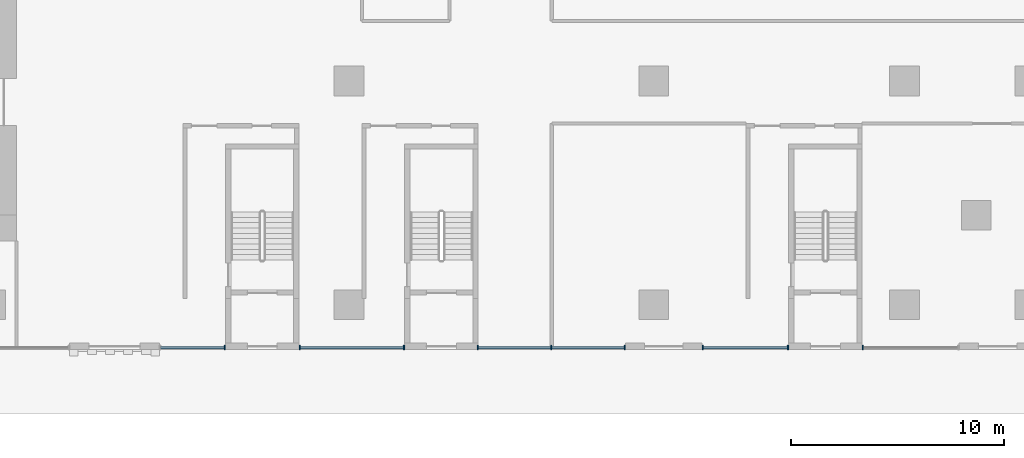
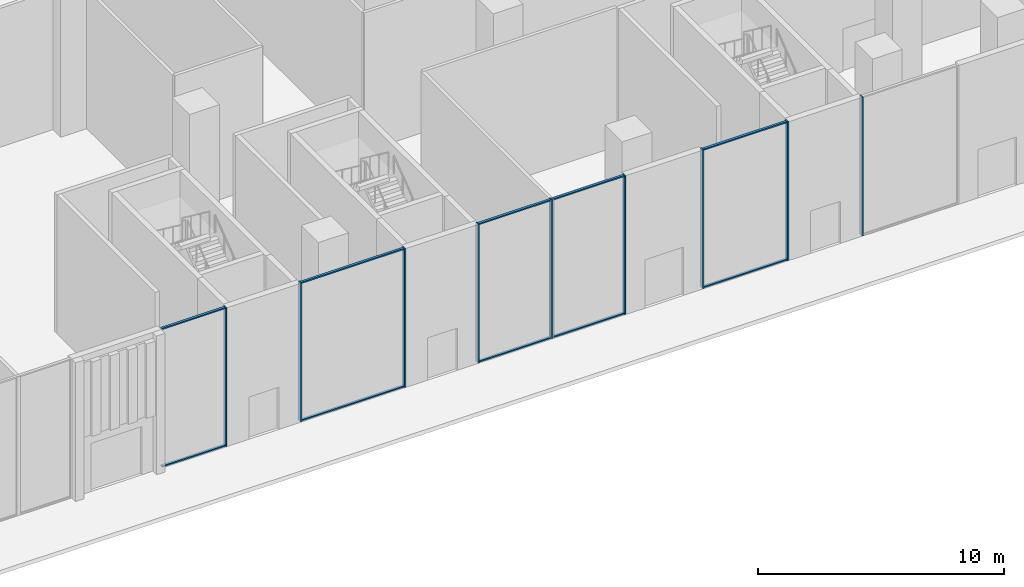
# One storey, part 4 of 26: 19 members, 5 elements without a shape of their own.
"""IFC4 building model written with IfcOpenShell, lengths in metres."""

import ifcopenshell
import ifcopenshell.guid

model = None  # the IFC model being written
_history = None  # IfcOwnerHistory: only IFC2X3 demands one
_inside = {}  # id of a spatial element -> (the spatial element, [elements in it])
_under = {}  # id of a project, library or spatial element -> (it, [spatial elements below it])
_declared = {}  # id of a project -> (the project, [libraries it declares])
_typed = {}  # id of a type object -> (the type object, [elements of that type])
_made_of = {}  # id of a material, layer set ... -> (it, [elements and type objects made of it])


def new_model(schema):
    """Start an empty IFC model of exactly this schema.

    Asked for "IFC4X3", IfcOpenShell would pick the latest addendum, in which some entities
    have other attributes; the version numbers below select the first issue.
    IFC2X3 requires an IfcOwnerHistory on every rooted entity: one is made here for all.
    """
    global model, _history
    if schema == "IFC4X3":
        model = ifcopenshell.file(schema_version=(4, 3, 0, 0))
    else:
        model = ifcopenshell.file(schema=schema)
    _inside.clear()
    _under.clear()
    _declared.clear()
    _typed.clear()
    _made_of.clear()
    _history = None
    if model.schema == "IFC2X3":
        org = make("IfcOrganization", Name="unknown")
        user = make(
            "IfcPersonAndOrganization",
            ThePerson=make("IfcPerson", FamilyName="unknown"),
            TheOrganization=org,
        )
        app = make(
            "IfcApplication",
            ApplicationDeveloper=org,
            Version="unknown",
            ApplicationFullName="unknown",
            ApplicationIdentifier="unknown",
        )
        _history = make(
            "IfcOwnerHistory",
            OwningUser=user,
            OwningApplication=app,
            ChangeAction="ADDED",
            CreationDate=0,
        )
    return model


def make(cls, **values):
    """One entity of the class cls with the attributes given. An attribute that is None is left unset."""
    return model.create_entity(
        cls, **{name: value for name, value in values.items() if value is not None}
    )


def rooted(cls, **values):
    """An entity with a GlobalId (a new one), such as an element, a storey or a relation."""
    return make(cls, GlobalId=ifcopenshell.guid.new(), OwnerHistory=_history, **values)


def si_unit(unit_type, name, prefix=None):
    """IfcSIUnit, for example si_unit("LENGTHUNIT", "METRE", prefix="MILLI")."""
    return make("IfcSIUnit", UnitType=unit_type, Prefix=prefix, Name=name)


def assignment(units):
    """IfcUnitAssignment: the units of a project."""
    return None if units is None else make("IfcUnitAssignment", Units=units)


def point(xyz):
    """IfcCartesianPoint."""
    return None if xyz is None else make("IfcCartesianPoint", Coordinates=xyz)


def direction(xyz):
    """IfcDirection."""
    return None if xyz is None else make("IfcDirection", DirectionRatios=xyz)


def frame(location, z_axis=None, x_axis=None):
    """IfcAxis2Placement3D, a coordinate frame: its origin and axes. An axis left out is left unset."""
    return make(
        "IfcAxis2Placement3D",
        Location=point(location),
        Axis=direction(z_axis),
        RefDirection=direction(x_axis),
    )


def frame_2d(location, x_axis=None):
    """IfcAxis2Placement2D, a coordinate frame in the plane: its origin and x axis."""
    return make(
        "IfcAxis2Placement2D", Location=point(location), RefDirection=direction(x_axis)
    )


def origin():
    """The frame at (0, 0, 0) with its axes left unset."""
    return frame((0.0, 0.0, 0.0))


def origin_2d():
    """The frame at (0, 0) in the plane with its x axis left unset."""
    return frame_2d((0.0, 0.0))


def place(relative_to, where):
    """IfcLocalPlacement: puts the frame where relative to a parent placement (None: the world)."""
    return make(
        "IfcLocalPlacement", PlacementRelTo=relative_to, RelativePlacement=where
    )


def context(
    kind, dimensions, precision=None, world=None, true_north=None, identifier=None
):
    """IfcGeometricRepresentationContext, for example the 3D "Model" context."""
    return make(
        "IfcGeometricRepresentationContext",
        ContextIdentifier=identifier,
        ContextType=kind,
        CoordinateSpaceDimension=dimensions,
        Precision=precision,
        WorldCoordinateSystem=world,
        TrueNorth=true_north,
    )


def subcontext(parent, identifier, kind, view, scale=None):
    """IfcGeometricRepresentationSubContext, for example "Body" below "Model"."""
    return make(
        "IfcGeometricRepresentationSubContext",
        ContextIdentifier=identifier,
        ContextType=kind,
        ParentContext=parent,
        TargetScale=scale,
        TargetView=view,
    )


def project(units=None, contexts=None):
    """IfcProject with its units and contexts."""
    return rooted(
        "IfcProject",
        Name="project",
        RepresentationContexts=contexts,
        UnitsInContext=assignment(units),
    )


def spatial(cls, under=None, at=None, **own):
    """A site, building, storey or space (cls), placed at a placement, below another one or the project."""
    s = rooted(cls, ObjectPlacement=at, **own)
    if under is not None:
        _under.setdefault(under.id(), (under, []))[1].append(s)
    return s


def profile(cls, at=None, kind="AREA", **sizes):
    """A parametric profile (cls). Its sizes go by their IFC names, for example OverallWidth=200.0."""
    return make(cls, ProfileType=kind, Position=at, **sizes)


def rectangle(**sizes):
    """IfcRectangleProfileDef."""
    return profile("IfcRectangleProfileDef", **sizes)


def extrude(swept, where, along, depth):
    """IfcExtrudedAreaSolid: the profile swept, set in the frame where, extruded along a direction by depth."""
    return make(
        "IfcExtrudedAreaSolid",
        SweptArea=swept,
        Position=where,
        ExtrudedDirection=direction(along),
        Depth=depth,
    )


def shape(context_of_items, identifier, shape_type, items):
    """IfcShapeRepresentation: the items that make up one representation, for example the "Body"."""
    return make(
        "IfcShapeRepresentation",
        ContextOfItems=context_of_items,
        RepresentationIdentifier=identifier,
        RepresentationType=shape_type,
        Items=items,
    )


def source(mapping_origin, context_of_items, identifier, shape_type, items):
    """IfcRepresentationMap: a shape defined once, which mapped items show again and again."""
    return make(
        "IfcRepresentationMap",
        MappingOrigin=mapping_origin,
        MappedRepresentation=shape(context_of_items, identifier, shape_type, items),
    )


def transform(
    local_origin,
    x_axis=None,
    y_axis=None,
    z_axis=None,
    scale=None,
    scale2=None,
    scale3=None,
    uniform=True,
):
    """IfcCartesianTransformationOperator3D, or its non-uniform kind. x_axis, y_axis, z_axis: its Axis1, 2, 3."""
    if uniform:
        return make(
            "IfcCartesianTransformationOperator3D",
            Axis1=direction(x_axis),
            Axis2=direction(y_axis),
            LocalOrigin=point(local_origin),
            Scale=scale,
            Axis3=direction(z_axis),
        )
    return make(
        "IfcCartesianTransformationOperator3DnonUniform",
        Axis1=direction(x_axis),
        Axis2=direction(y_axis),
        LocalOrigin=point(local_origin),
        Scale=scale,
        Axis3=direction(z_axis),
        Scale2=scale2,
        Scale3=scale3,
    )


def mapped(mapping_source, mapping_target):
    """IfcMappedItem: shows the shape of a source again, moved by a transform."""
    return make(
        "IfcMappedItem", MappingSource=mapping_source, MappingTarget=mapping_target
    )


def material(Name=None, Category=None):
    """IfcMaterial."""
    return make("IfcMaterial", Name=Name, Category=Category)


def layer(
    of_material, thickness, ventilated=None, Name=None, Category=None, Priority=None
):
    """IfcMaterialLayer: one layer of a wall or slab, of a material (None: an air gap)."""
    return make(
        "IfcMaterialLayer",
        Material=of_material,
        LayerThickness=thickness,
        IsVentilated=ventilated,
        Name=Name,
        Category=Category,
        Priority=Priority,
    )


def layer_set(layers, Name=None):
    """IfcMaterialLayerSet."""
    return make("IfcMaterialLayerSet", MaterialLayers=layers, LayerSetName=Name)


def material_profile(
    of_material, cross_section, Name=None, Category=None, Priority=None
):
    """IfcMaterialProfile: a cross section and its material."""
    return make(
        "IfcMaterialProfile",
        Name=Name,
        Material=of_material,
        Profile=cross_section,
        Priority=Priority,
        Category=Category,
    )


def profile_set(profiles, Name=None, composite=None):
    """IfcMaterialProfileSet."""
    return make(
        "IfcMaterialProfileSet",
        Name=Name,
        MaterialProfiles=profiles,
        CompositeProfile=composite,
    )


def made_of(thing, what):
    """Note that an element or type object is made of a material, layer set ...; save() writes the relation."""
    if what is not None:
        _made_of.setdefault(what.id(), (what, []))[1].append(thing)
    return thing


def type_object(cls, material=None, **own):
    """A type object (cls), such as IfcWallType, which elements share."""
    return made_of(rooted(cls, **own), material)


def element(
    cls,
    number,
    at=None,
    inside=None,
    cuts=None,
    type_object=None,
    material=None,
    context=None,
    identifier="Body",
    shape_type=None,
    held_by="IfcProductDefinitionShape",
    body=None,
    shapes=None,
    **own,
):
    """One element of the class cls, such as IfcWall. Its Tag is "e" and its number.

    at: its placement. inside: the storey or other place that contains it. cuts: it is an
    opening in that element (IfcRelVoidsElement). A single representation is given by context,
    identifier, shape_type and body (its items); several are given by shapes. held_by: the class
    of the entity that holds the representations. save() writes the other relations.
    """
    e = rooted(cls, Tag="e%d" % number, ObjectPlacement=at, **own)
    if body is not None:
        shapes = [shape(context, identifier, shape_type, body)]
    if shapes is not None:
        e.Representation = make(held_by, Representations=shapes)
    if inside is not None:
        _inside.setdefault(inside.id(), (inside, []))[1].append(e)
    if cuts is not None:
        rooted(
            "IfcRelVoidsElement", RelatingBuildingElement=cuts, RelatedOpeningElement=e
        )
    if type_object is not None:
        _typed.setdefault(type_object.id(), (type_object, []))[1].append(e)
    return made_of(e, material)


def aggregate(whole, parts):
    """IfcRelAggregates: a whole, such as a stair, and the parts it consists of."""
    return rooted("IfcRelAggregates", RelatingObject=whole, RelatedObjects=parts)


def save(model, path):
    """Write the relations noted so far, then the file.

    IfcRelAggregates (storeys below a building ...), IfcRelContainedInSpatialStructure (elements
    in a storey), IfcRelDefinesByType, IfcRelAssociatesMaterial and IfcRelDeclares: one each for
    every whole, place, type object, material and project.
    """
    for whole, parts in _under.values():
        aggregate(whole, parts)
    for where, things in _inside.values():
        rooted(
            "IfcRelContainedInSpatialStructure",
            RelatedElements=things,
            RelatingStructure=where,
        )
    for kind, things in _typed.values():
        rooted("IfcRelDefinesByType", RelatedObjects=things, RelatingType=kind)
    for what, things in _made_of.values():
        rooted("IfcRelAssociatesMaterial", RelatedObjects=things, RelatingMaterial=what)
    for by, libraries in _declared.values():
        rooted("IfcRelDeclares", RelatingContext=by, RelatedDefinitions=libraries)
    model.write(path)


model = new_model("IFC4")

# Units and contexts
model_context = context("Model", 3, precision=1e-05, world=origin(), true_north=direction((0.0, 1.0)))
body_context = subcontext(model_context, "Body", "Model", "MODEL_VIEW")
ifc_project = project(units=[si_unit("LENGTHUNIT", "METRE"), si_unit("AREAUNIT", "SQUARE_METRE"), si_unit("VOLUMEUNIT", "CUBIC_METRE"), si_unit("PLANEANGLEUNIT", "RADIAN"), si_unit("MASSUNIT", "GRAM", prefix="KILO")], contexts=[model_context])

# Site, building, storey
site_placement = place(None, origin())
site = spatial("IfcSite", under=ifc_project, at=site_placement, CompositionType="ELEMENT")
building_placement = place(site_placement, origin())
building = spatial("IfcBuilding", under=site, at=building_placement, Name="Aurelian Terraces", CompositionType="ELEMENT")
storey_placement = place(building_placement, origin())
storey = spatial("IfcBuildingStorey", under=building, at=storey_placement, Name="L00", CompositionType="ELEMENT", Elevation=0.0)

# Curtain wall, member
ifc_material_1 = material(Name="Anodised aluminium and clear glazing", Category="aluminium")
ifc_layer = layer(ifc_material_1, 0.2)
ifc_layer_set = layer_set([ifc_layer], Name="Podium shopfront curtain wall")
curtain_wall_type = type_object("IfcCurtainWallType", Name="Podium shopfront curtain wall", PredefinedType="NOTDEFINED", material=ifc_layer_set)
curtain_wall_1_placement = place(storey_placement, origin())
curtain_wall_1 = element("IfcCurtainWall", 1, at=curtain_wall_1_placement, inside=storey, type_object=curtain_wall_type, Name="Podium shopfront L00 F01.5", PredefinedType="NOTDEFINED")
ifc_material_2 = material(Name="Anodised aluminium", Category="aluminium")
ifc_material_profile_1 = material_profile(ifc_material_2, rectangle(XDim=0.12, YDim=0.06, at=origin_2d()))
ifc_profile_set_1 = profile_set([ifc_material_profile_1], Name="Anodised aluminium")
member_type_1 = type_object("IfcMemberType", Name="Podium shopfront transom", PredefinedType="USERDEFINED", material=ifc_profile_set_1)
member_1_placement = place(storey_placement, frame((28.96, -2.0, 0.03), z_axis=(1.0, 0.0, 0.0), x_axis=(0.0, 1.0, 0.0)))
member_1 = element("IfcMember", 2, at=member_1_placement, type_object=member_type_1, Name="CW1 transom 1.1", ObjectType="TRANSOM", PredefinedType="USERDEFINED", context=body_context, shape_type="SweptSolid", body=[
    extrude(rectangle(XDim=0.12, YDim=0.06, at=origin_2d()), origin(), (0.0, 0.0, 1.0), 2.98),
])

curtain_wall_2_placement = place(storey_placement, origin())
curtain_wall_2 = element("IfcCurtainWall", 3, at=curtain_wall_2_placement, inside=storey, type_object=curtain_wall_type, Name="Podium shopfront L00 F01.6", PredefinedType="NOTDEFINED")
member_2_placement = place(storey_placement, frame((35.51, -2.0, 0.03), z_axis=(1.0, 0.0, 0.0), x_axis=(0.0, 1.0, 0.0)))
member_2 = element("IfcMember", 4, at=member_2_placement, type_object=member_type_1, Name="CW1 transom 1.1", ObjectType="TRANSOM", PredefinedType="USERDEFINED", context=body_context, shape_type="SweptSolid", body=[
    extrude(rectangle(XDim=0.12, YDim=0.06, at=origin_2d()), origin(), (0.0, 0.0, 1.0), 4.83),
])

curtain_wall_3_placement = place(storey_placement, origin())
curtain_wall_3 = element("IfcCurtainWall", 5, at=curtain_wall_3_placement, inside=storey, type_object=curtain_wall_type, Name="Podium shopfront L00 F01.7", PredefinedType="NOTDEFINED")
member_3_placement = place(storey_placement, frame((43.86, -2.0, 0.03), z_axis=(1.0, 0.0, 0.0), x_axis=(0.0, 1.0, 0.0)))
member_3 = element("IfcMember", 6, at=member_3_placement, type_object=member_type_1, Name="CW1 transom 1.1", ObjectType="TRANSOM", PredefinedType="USERDEFINED", context=body_context, shape_type="SweptSolid", body=[
    extrude(rectangle(XDim=0.12, YDim=0.06, at=origin_2d()), origin(), (0.0, 0.0, 1.0), 3.385),
])

curtain_wall_4_placement = place(storey_placement, origin())
curtain_wall_4 = element("IfcCurtainWall", 7, at=curtain_wall_4_placement, inside=storey, type_object=curtain_wall_type, Name="Podium shopfront L00 F01.9", PredefinedType="NOTDEFINED")
member_4_placement = place(storey_placement, frame((54.41, -2.0, 0.03), z_axis=(1.0, 0.0, 0.0), x_axis=(0.0, 1.0, 0.0)))
member_4 = element("IfcMember", 8, at=member_4_placement, type_object=member_type_1, Name="CW1 transom 1.1", ObjectType="TRANSOM", PredefinedType="USERDEFINED", context=body_context, shape_type="SweptSolid", body=[
    extrude(rectangle(XDim=0.12, YDim=0.06, at=origin_2d()), origin(), (0.0, 0.0, 1.0), 3.93),
])

# Member
ifc_material_profile_2 = material_profile(ifc_material_2, rectangle(XDim=0.2, YDim=0.06, at=origin_2d()))
ifc_profile_set_2 = profile_set([ifc_material_profile_2], Name="Anodised aluminium")
member_type_2 = type_object("IfcMemberType", Name="Podium shopfront mullion", PredefinedType="MULLION", material=ifc_profile_set_2)
shared_shape_1 = source(origin(), body_context, "Body", "SweptSolid", [
    extrude(rectangle(XDim=0.2, YDim=0.06, at=origin_2d()), origin(), (0.0, 0.0, 1.0), 6.9),
])
member_5_placement = place(storey_placement, frame((31.97, -2.0, 0.0), z_axis=(0.0, 0.0, 1.0), x_axis=(0.0, 1.0, 0.0)))
member_5 = element("IfcMember", 9, at=member_5_placement, type_object=member_type_2, Name="CW1 mullion 2", PredefinedType="MULLION", context=body_context, shape_type="MappedRepresentation", body=[
    mapped(shared_shape_1, transform((0.0, 0.0, 0.0), scale=1.0)),
])

member_6_placement = place(storey_placement, frame((35.48, -2.0, 0.0), z_axis=(0.0, 0.0, 1.0), x_axis=(0.0, 1.0, 0.0)))
member_6 = element("IfcMember", 10, at=member_6_placement, type_object=member_type_2, Name="CW1 mullion 1", PredefinedType="MULLION", context=body_context, shape_type="MappedRepresentation", body=[
    mapped(shared_shape_1, transform((0.0, 0.0, 0.0), scale=1.0)),
])

member_7_placement = place(storey_placement, frame((40.37, -2.0, 0.0), z_axis=(0.0, 0.0, 1.0), x_axis=(0.0, 1.0, 0.0)))
member_7 = element("IfcMember", 11, at=member_7_placement, type_object=member_type_2, Name="CW1 mullion 2", PredefinedType="MULLION", context=body_context, shape_type="MappedRepresentation", body=[
    mapped(shared_shape_1, transform((0.0, 0.0, 0.0), scale=1.0)),
])

member_8_placement = place(storey_placement, frame((43.83, -2.0, 0.0), z_axis=(0.0, 0.0, 1.0), x_axis=(0.0, 1.0, 0.0)))
member_8 = element("IfcMember", 12, at=member_8_placement, type_object=member_type_2, Name="CW1 mullion 1", PredefinedType="MULLION", context=body_context, shape_type="MappedRepresentation", body=[
    mapped(shared_shape_1, transform((0.0, 0.0, 0.0), scale=1.0)),
])

member_9_placement = place(storey_placement, frame((47.275, -2.0, 0.0), z_axis=(0.0, 0.0, 1.0), x_axis=(0.0, 1.0, 0.0)))
member_9 = element("IfcMember", 13, at=member_9_placement, type_object=member_type_2, Name="CW1 mullion 2", PredefinedType="MULLION", context=body_context, shape_type="MappedRepresentation", body=[
    mapped(shared_shape_1, transform((0.0, 0.0, 0.0), scale=1.0)),
])

member_10_placement = place(storey_placement, frame((50.72, -2.0, 0.0), z_axis=(0.0, 0.0, 1.0), x_axis=(0.0, 1.0, 0.0)))
member_10 = element("IfcMember", 14, at=member_10_placement, type_object=member_type_2, Name="CW1 mullion 3", PredefinedType="MULLION", context=body_context, shape_type="MappedRepresentation", body=[
    mapped(shared_shape_1, transform((0.0, 0.0, 0.0), scale=1.0)),
])

member_11_placement = place(storey_placement, frame((54.38, -2.0, 0.0), z_axis=(0.0, 0.0, 1.0), x_axis=(0.0, 1.0, 0.0)))
member_11 = element("IfcMember", 15, at=member_11_placement, type_object=member_type_2, Name="CW1 mullion 1", PredefinedType="MULLION", context=body_context, shape_type="MappedRepresentation", body=[
    mapped(shared_shape_1, transform((0.0, 0.0, 0.0), scale=1.0)),
])

member_12_placement = place(storey_placement, frame((58.37, -2.0, 0.0), z_axis=(0.0, 0.0, 1.0), x_axis=(0.0, 1.0, 0.0)))
member_12 = element("IfcMember", 16, at=member_12_placement, type_object=member_type_2, Name="CW1 mullion 2", PredefinedType="MULLION", context=body_context, shape_type="MappedRepresentation", body=[
    mapped(shared_shape_1, transform((0.0, 0.0, 0.0), scale=1.0)),
])

# Curtain wall, member
curtain_wall_5_placement = place(storey_placement, origin())
curtain_wall_5 = element("IfcCurtainWall", 17, at=curtain_wall_5_placement, inside=storey, type_object=curtain_wall_type, Name="Podium shopfront L00 F01.10", PredefinedType="NOTDEFINED")
member_13_placement = place(storey_placement, frame((61.88, -2.0, 0.0), z_axis=(0.0, 0.0, 1.0), x_axis=(0.0, 1.0, 0.0)))
member_13 = element("IfcMember", 18, at=member_13_placement, type_object=member_type_2, Name="CW1 mullion 1", PredefinedType="MULLION", context=body_context, shape_type="MappedRepresentation", body=[
    mapped(shared_shape_1, transform((0.0, 0.0, 0.0), scale=1.0)),
])
aggregate(curtain_wall_5, [member_13])

# Member
shared_shape_2 = source(origin(), body_context, "Body", "SweptSolid", [
    extrude(rectangle(XDim=0.12, YDim=0.06, at=origin_2d()), origin(), (0.0, 0.0, 1.0), 2.98),
])
member_14_placement = place(storey_placement, frame((28.96, -2.0, 6.87), z_axis=(1.0, 0.0, 0.0), x_axis=(0.0, 1.0, 0.0)))
member_14 = element("IfcMember", 19, at=member_14_placement, type_object=member_type_1, Name="CW1 transom 1.2", ObjectType="TRANSOM", PredefinedType="USERDEFINED", context=body_context, shape_type="MappedRepresentation", body=[
    mapped(shared_shape_2, transform((0.0, 0.0, 0.0), scale=1.0)),
])

aggregate(curtain_wall_1, [member_5, member_1, member_14])

shared_shape_3 = source(origin(), body_context, "Body", "SweptSolid", [
    extrude(rectangle(XDim=0.12, YDim=0.06, at=origin_2d()), origin(), (0.0, 0.0, 1.0), 4.83),
])
member_15_placement = place(storey_placement, frame((35.51, -2.0, 6.87), z_axis=(1.0, 0.0, 0.0), x_axis=(0.0, 1.0, 0.0)))
member_15 = element("IfcMember", 20, at=member_15_placement, type_object=member_type_1, Name="CW1 transom 1.2", ObjectType="TRANSOM", PredefinedType="USERDEFINED", context=body_context, shape_type="MappedRepresentation", body=[
    mapped(shared_shape_3, transform((0.0, 0.0, 0.0), scale=1.0)),
])

aggregate(curtain_wall_2, [member_6, member_7, member_2, member_15])

shared_shape_4 = source(origin(), body_context, "Body", "SweptSolid", [
    extrude(rectangle(XDim=0.12, YDim=0.06, at=origin_2d()), origin(), (0.0, 0.0, 1.0), 3.385),
])
member_16_placement = place(storey_placement, frame((43.86, -2.0, 6.87), z_axis=(1.0, 0.0, 0.0), x_axis=(0.0, 1.0, 0.0)))
member_16 = element("IfcMember", 21, at=member_16_placement, type_object=member_type_1, Name="CW1 transom 1.2", ObjectType="TRANSOM", PredefinedType="USERDEFINED", context=body_context, shape_type="MappedRepresentation", body=[
    mapped(shared_shape_4, transform((0.0, 0.0, 0.0), scale=1.0)),
])

member_17_placement = place(storey_placement, frame((47.305, -2.0, 0.03), z_axis=(1.0, 0.0, 0.0), x_axis=(0.0, 1.0, 0.0)))
member_17 = element("IfcMember", 22, at=member_17_placement, type_object=member_type_1, Name="CW1 transom 2.1", ObjectType="TRANSOM", PredefinedType="USERDEFINED", context=body_context, shape_type="MappedRepresentation", body=[
    mapped(shared_shape_4, transform((0.0, 0.0, 0.0), scale=1.0)),
])

member_18_placement = place(storey_placement, frame((47.305, -2.0, 6.87), z_axis=(1.0, 0.0, 0.0), x_axis=(0.0, 1.0, 0.0)))
member_18 = element("IfcMember", 23, at=member_18_placement, type_object=member_type_1, Name="CW1 transom 2.2", ObjectType="TRANSOM", PredefinedType="USERDEFINED", context=body_context, shape_type="MappedRepresentation", body=[
    mapped(shared_shape_4, transform((0.0, 0.0, 0.0), scale=1.0)),
])

aggregate(curtain_wall_3, [member_8, member_9, member_10, member_3, member_16, member_17, member_18])

shared_shape_5 = source(origin(), body_context, "Body", "SweptSolid", [
    extrude(rectangle(XDim=0.12, YDim=0.06, at=origin_2d()), origin(), (0.0, 0.0, 1.0), 3.93),
])
member_19_placement = place(storey_placement, frame((54.41, -2.0, 6.87), z_axis=(1.0, 0.0, 0.0), x_axis=(0.0, 1.0, 0.0)))
member_19 = element("IfcMember", 24, at=member_19_placement, type_object=member_type_1, Name="CW1 transom 1.2", ObjectType="TRANSOM", PredefinedType="USERDEFINED", context=body_context, shape_type="MappedRepresentation", body=[
    mapped(shared_shape_5, transform((0.0, 0.0, 0.0), scale=1.0)),
])

aggregate(curtain_wall_4, [member_11, member_12, member_4, member_19])

save(model, "model.ifc")
